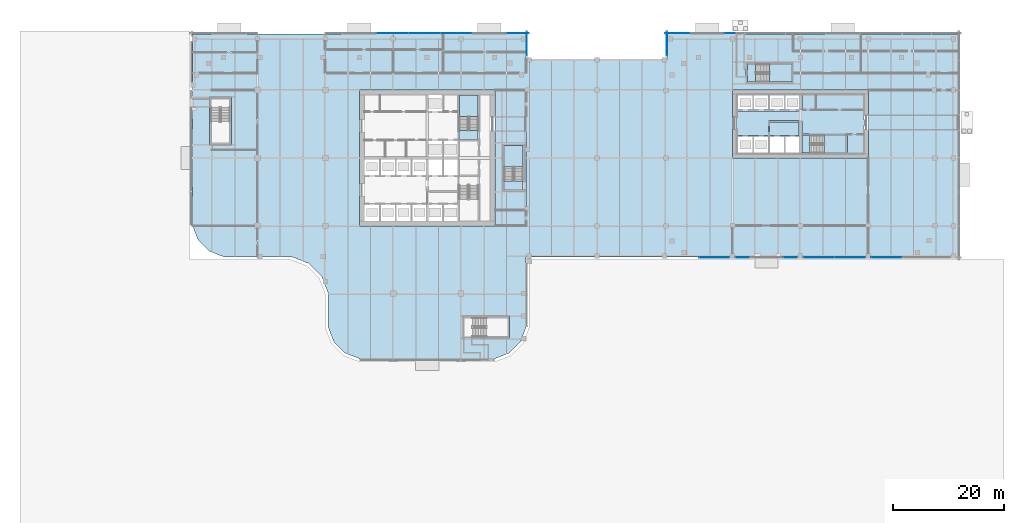
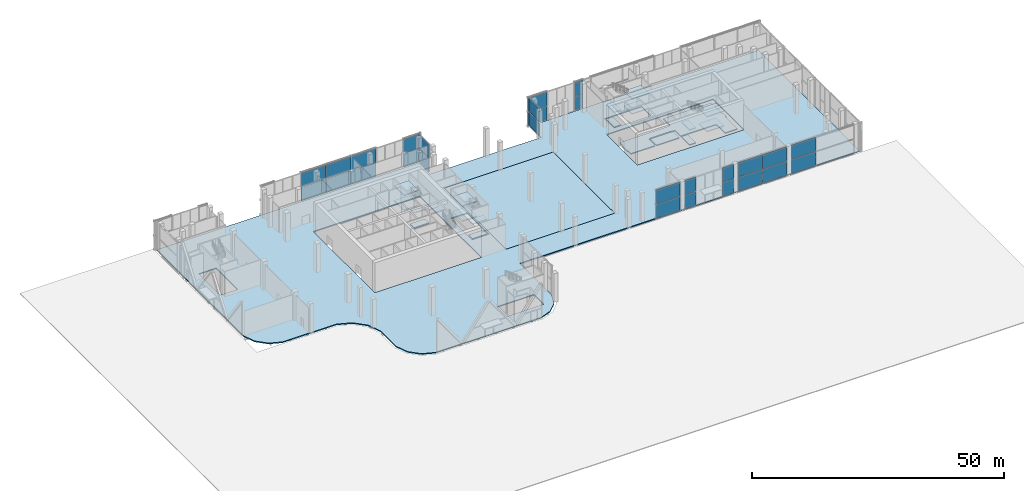
# One storey, part 15 of 36: 28 plates, 20 slabs, 15 elements without a shape of their own.
"""IFC4 building model written with IfcOpenShell, lengths in metres."""

from ifc_helpers import new_model, si_unit, direction, frame, origin, origin_2d, place, context, subcontext, project, spatial, polyline, rectangle, outline, extrude, material, layer, layer_set, type_object, element, aggregate, save


model = new_model("IFC4")

# Units and contexts
model_context = context("Model", 3, precision=1e-05, world=origin(), true_north=direction((0.0, 1.0)))
body_context = subcontext(model_context, "Body", "Model", "MODEL_VIEW")
ifc_project = project(units=[si_unit("LENGTHUNIT", "METRE"), si_unit("AREAUNIT", "SQUARE_METRE"), si_unit("VOLUMEUNIT", "CUBIC_METRE"), si_unit("PLANEANGLEUNIT", "RADIAN"), si_unit("MASSUNIT", "GRAM", prefix="KILO")], contexts=[model_context])

# Site, building, storey
site_placement = place(None, origin())
site = spatial("IfcSite", under=ifc_project, at=site_placement, CompositionType="ELEMENT")
building_placement = place(site_placement, origin())
building = spatial("IfcBuilding", under=site, at=building_placement, Name="Tessera Gate Towers", CompositionType="ELEMENT")
storey_placement = place(building_placement, origin())
storey = spatial("IfcBuildingStorey", under=building, at=storey_placement, Name="L00", CompositionType="ELEMENT", Elevation=0.0)

# Slabs
ifc_material_1 = material(Name="Concrete C35/45", Category="concrete")
ifc_layer_1 = layer(ifc_material_1, 0.25)
ifc_layer_set_1 = layer_set([ifc_layer_1], Name="COMPOSITE FLOOR 250")
slab_type_1 = type_object("IfcSlabType", Name="COMPOSITE FLOOR 250", PredefinedType="FLOOR", material=ifc_layer_set_1)
slab_1_placement = place(storey_placement, frame((0.0, 0.0, -0.25)))
element("IfcSlab", 1, at=slab_1_placement, inside=storey, type_object=slab_type_1, Name="L00-GALLERIA-ARCADE-DECK", PredefinedType="FLOOR", context=body_context, shape_type="SweptSolid", body=[
    extrude(outline(polyline([(60.5, 24.39990234375), (85.39990234375, 24.39990234375), (85.39990234375, 48.800048828125), (60.5, 48.800048828125), (60.5, 24.39990234375)])), origin(), (0.0, 0.0, 1.0), 0.25),
])
slab_2_placement = place(storey_placement, frame((0.0, 0.0, -0.25)))
element("IfcSlab", 2, at=slab_2_placement, inside=storey, type_object=slab_type_1, Name="PD-L00", PredefinedType="FLOOR", context=body_context, shape_type="SweptSolid", body=[
    extrude(outline(polyline([(0.5, 24.4931640625), (1.526123046875, 21.8330078125), (3.533203125, 19.826171875), (6.193115234375, 18.800048828125), (18.39306640625, 18.800048828125), (21.42431640625, 17.630615234375), (23.730712890625, 15.32421875), (24.89990234375, 12.293212890625), (24.89990234375, 6.193115234375), (25.926025390625, 3.533203125), (27.93310546875, 1.526123046875), (30.593017578125, 0.5), (54.806884765625, 0.5), (57.466796875, 1.526123046875), (59.473876953125, 3.533203125), (60.5, 6.193115234375), (60.5, 18.800048828125), (138.199951171875, 18.800048828125), (138.199951171875, 58.89990234375), (85.89990234375, 58.89990234375), (85.89990234375, 54.39990234375), (60.5, 54.39990234375), (60.5, 58.89990234375), (0.5, 58.89990234375), (0.5, 24.4931640625)]), holes=[polyline([(3.60009765625, 39.0), (3.60009765625, 47.5), (7.5, 47.5), (7.5, 39.0), (3.60009765625, 39.0)]), polyline([(30.5, 24.39990234375), (30.5, 48.800048828125), (54.89990234375, 48.800048828125), (54.89990234375, 24.39990234375), (30.5, 24.39990234375)]), polyline([(49.0, 4.199951171875), (49.0, 8.10009765625), (57.5, 8.10009765625), (57.5, 4.199951171875), (49.0, 4.199951171875)]), polyline([(56.300048828125, 30.60009765625), (56.300048828125, 39.10009765625), (60.199951171875, 39.10009765625), (60.199951171875, 30.60009765625), (56.300048828125, 30.60009765625)]), polyline([(60.5, 24.39990234375), (60.5, 48.800048828125), (85.39990234375, 48.800048828125), (85.39990234375, 24.39990234375), (60.5, 24.39990234375)]), polyline([(97.60009765625, 36.60009765625), (97.60009765625, 48.800048828125), (122.0, 48.800048828125), (122.0, 36.60009765625), (97.60009765625, 36.60009765625)]), polyline([(100.0, 50.0), (100.0, 53.699951171875), (108.5, 53.699951171875), (108.5, 50.0), (100.0, 50.0)])]), origin(), (0.0, 0.0, 1.0), 0.25),
])
ifc_material_2 = material(Name="Concrete C35/45", Category="concrete")
ifc_layer_2 = layer(ifc_material_2, 0.25)
ifc_layer_set_2 = layer_set([ifc_layer_2], Name="CORE FLOOR SLAB 250")
slab_type_2 = type_object("IfcSlabType", Name="CORE FLOOR SLAB 250", PredefinedType="FLOOR", material=ifc_layer_set_2)
slab_3_placement = place(storey_placement, frame((0.0, 0.0, -0.25)))
element("IfcSlab", 3, at=slab_3_placement, inside=storey, type_object=slab_type_2, Name="L00 core floor slab", PredefinedType="FLOOR", context=body_context, shape_type="SweptSolid", body=[
    extrude(outline(polyline([(48.47509765625, 41.52490234375), (48.47509765625, 39.925048828125), (51.875, 39.925048828125), (51.875, 41.52490234375), (48.47509765625, 41.52490234375)])), origin(), (0.0, 0.0, 1.0), 0.25),
])
slab_4_placement = place(storey_placement, frame((0.0, 0.0, -0.25)))
element("IfcSlab", 4, at=slab_4_placement, inside=storey, type_object=slab_type_2, Name="L00 ST5 floor landing", PredefinedType="FLOOR", context=body_context, shape_type="SweptSolid", body=[
    extrude(outline(polyline([(59.949951171875, 30.85009765625), (59.949951171875, 32.449951171875), (56.550048828125, 32.449951171875), (56.550048828125, 30.85009765625), (59.949951171875, 30.85009765625)])), origin(), (0.0, 0.0, 1.0), 0.25),
])
slab_5_placement = place(storey_placement, frame((0.0, 0.0, -0.25)))
element("IfcSlab", 5, at=slab_5_placement, inside=storey, type_object=slab_type_2, Name="L00 core floor slab", PredefinedType="FLOOR", context=body_context, shape_type="SweptSolid", body=[
    extrude(outline(polyline([(109.550048828125, 45.199951171875), (109.550048828125, 45.074951171875), (98.5, 45.074951171875), (98.5, 43.89990234375), (98.300048828125, 43.89990234375), (98.300048828125, 41.800048828125), (98.5, 41.800048828125), (98.5, 40.625), (104.02490234375, 40.625), (104.02490234375, 43.199951171875), (104.27490234375, 43.199951171875), (104.27490234375, 43.324951171875), (109.550048828125, 43.324951171875), (109.550048828125, 43.199951171875), (110.050048828125, 43.199951171875), (110.050048828125, 40.949951171875), (118.10009765625, 40.949951171875), (118.10009765625, 40.699951171875), (118.22509765625, 40.699951171875), (118.22509765625, 37.5), (121.10009765625, 37.5), (121.10009765625, 42.35009765625), (121.300048828125, 42.35009765625), (121.300048828125, 43.550048828125), (121.10009765625, 43.550048828125), (121.10009765625, 47.89990234375), (110.050048828125, 47.89990234375), (110.050048828125, 45.199951171875), (109.550048828125, 45.199951171875)])), origin(), (0.0, 0.0, 1.0), 0.25),
])
slab_6_placement = place(storey_placement, frame((0.0, 0.0, -0.25)))
element("IfcSlab", 6, at=slab_6_placement, inside=storey, type_object=slab_type_2, Name="L00 core floor slab", PredefinedType="FLOOR", context=body_context, shape_type="SweptSolid", body=[
    extrude(outline(polyline([(109.550048828125, 43.074951171875), (104.27490234375, 43.074951171875), (104.27490234375, 40.625), (109.550048828125, 40.625), (109.550048828125, 43.074951171875)])), origin(), (0.0, 0.0, 1.0), 0.25),
])
slab_7_placement = place(storey_placement, frame((0.0, 0.0, -0.25)))
element("IfcSlab", 7, at=slab_7_placement, inside=storey, type_object=slab_type_2, Name="L00 core floor slab", PredefinedType="FLOOR", context=body_context, shape_type="SweptSolid", body=[
    extrude(outline(polyline([(111.550048828125, 37.5), (111.550048828125, 40.699951171875), (110.050048828125, 40.699951171875), (110.050048828125, 37.5), (111.550048828125, 37.5)])), origin(), (0.0, 0.0, 1.0), 0.25),
])
slab_8_placement = place(storey_placement, frame((0.0, 0.0, -0.25)))
element("IfcSlab", 8, at=slab_8_placement, inside=storey, type_object=slab_type_2, Name="L00 ST7 floor landing", PredefinedType="FLOOR", context=body_context, shape_type="SweptSolid", body=[
    extrude(outline(polyline([(100.25, 50.25), (101.75, 50.25), (101.75, 53.449951171875), (100.25, 53.449951171875), (100.25, 50.25)])), origin(), (0.0, 0.0, 1.0), 0.25),
])

# Stair, slabs
ifc_material_3 = material(Name="Concrete C40/50", Category="concrete")
stair_type_1 = type_object("IfcStairType", Name="EXIT STAIR ST2E 1600", PredefinedType="HALF_TURN_STAIR", material=ifc_material_3)
stair_1_placement = place(storey_placement, origin())
stair_1 = element("IfcStair", 9, at=stair_1_placement, inside=storey, type_object=stair_type_1, Name="L00 Protected Exit Stair ST2", PredefinedType="HALF_TURN_STAIR")
ifc_material_4 = material(Name="Concrete C40/50", Category="concrete")
ifc_layer_3 = layer(ifc_material_4, 0.199951171875)
ifc_layer_set_3 = layer_set([ifc_layer_3], Name="EXIT STAIR LANDING 200")
slab_type_3 = type_object("IfcSlabType", Name="EXIT STAIR LANDING 200", PredefinedType="LANDING", material=ifc_layer_set_3)
slab_9_placement = place(storey_placement, frame((0.0, 0.0, 1.60009765625)))
slab_9 = element("IfcSlab", 10, at=slab_9_placement, type_object=slab_type_3, Name="ST2 landing 1", PredefinedType="LANDING", context=body_context, shape_type="SweptSolid", body=[
    extrude(outline(polyline([(51.875, 44.044921875), (51.875, 47.89990234375), (48.47509765625, 47.89990234375), (48.47509765625, 44.044921875), (51.875, 44.044921875)])), origin(), (0.0, 0.0, 1.0), 0.199951171875),
])
slab_10_placement = place(storey_placement, frame((0.0, 0.0, 3.39990234375)))
slab_10 = element("IfcSlab", 11, at=slab_10_placement, type_object=slab_type_3, Name="ST2 landing 2", PredefinedType="LANDING", context=body_context, shape_type="SweptSolid", body=[
    extrude(outline(polyline([(51.875, 39.925048828125), (51.875, 41.52490234375), (48.47509765625, 41.52490234375), (48.47509765625, 39.925048828125), (51.875, 39.925048828125)])), origin(), (0.0, 0.0, 1.0), 0.2001953125),
])
slab_11_placement = place(storey_placement, frame((0.0, 0.0, 5.199951171875)))
slab_11 = element("IfcSlab", 12, at=slab_11_placement, type_object=slab_type_3, Name="ST2 landing 3", PredefinedType="LANDING", context=body_context, shape_type="SweptSolid", body=[
    extrude(outline(polyline([(51.875, 44.044921875), (51.875, 47.89990234375), (48.47509765625, 47.89990234375), (48.47509765625, 44.044921875), (51.875, 44.044921875)])), origin(), (0.0, 0.0, 1.0), 0.199951171875),
])
aggregate(stair_1, [slab_9, slab_10, slab_11])

ifc_material_5 = material(Name="Concrete C40/50", Category="concrete")
stair_type_2 = type_object("IfcStairType", Name="EXIT STAIR ST5D 1600", PredefinedType="HALF_TURN_STAIR", material=ifc_material_5)
stair_2_placement = place(storey_placement, origin())
stair_2 = element("IfcStair", 13, at=stair_2_placement, inside=storey, type_object=stair_type_2, Name="L00 East Exit Stair ST5", PredefinedType="HALF_TURN_STAIR")
slab_12_placement = place(storey_placement, frame((0.0, 0.0, 1.60009765625)))
slab_12 = element("IfcSlab", 14, at=slab_12_placement, type_object=slab_type_3, Name="ST5 landing 1", PredefinedType="LANDING", context=body_context, shape_type="SweptSolid", body=[
    extrude(outline(polyline([(59.949951171875, 34.969970703125), (59.949951171875, 38.85009765625), (56.550048828125, 38.85009765625), (56.550048828125, 34.969970703125), (59.949951171875, 34.969970703125)])), origin(), (0.0, 0.0, 1.0), 0.199951171875),
])
slab_13_placement = place(storey_placement, frame((0.0, 0.0, 3.39990234375)))
slab_13 = element("IfcSlab", 15, at=slab_13_placement, type_object=slab_type_3, Name="ST5 landing 2", PredefinedType="LANDING", context=body_context, shape_type="SweptSolid", body=[
    extrude(outline(polyline([(59.949951171875, 30.85009765625), (59.949951171875, 32.449951171875), (56.550048828125, 32.449951171875), (56.550048828125, 30.85009765625), (59.949951171875, 30.85009765625)])), origin(), (0.0, 0.0, 1.0), 0.2001953125),
])
slab_14_placement = place(storey_placement, frame((0.0, 0.0, 5.199951171875)))
slab_14 = element("IfcSlab", 16, at=slab_14_placement, type_object=slab_type_3, Name="ST5 landing 3", PredefinedType="LANDING", context=body_context, shape_type="SweptSolid", body=[
    extrude(outline(polyline([(59.949951171875, 34.969970703125), (59.949951171875, 38.85009765625), (56.550048828125, 38.85009765625), (56.550048828125, 34.969970703125), (59.949951171875, 34.969970703125)])), origin(), (0.0, 0.0, 1.0), 0.199951171875),
])
aggregate(stair_2, [slab_12, slab_13, slab_14])

ifc_material_6 = material(Name="Concrete C40/50", Category="concrete")
stair_type_3 = type_object("IfcStairType", Name="EXIT STAIR ST6D 1500", PredefinedType="HALF_TURN_STAIR", material=ifc_material_6)
stair_3_placement = place(storey_placement, origin())
stair_3 = element("IfcStair", 17, at=stair_3_placement, inside=storey, type_object=stair_type_3, Name="L00 Protected Exit Stair ST6", PredefinedType="HALF_TURN_STAIR")
slab_15_placement = place(storey_placement, frame((0.0, 0.0, 1.60009765625)))
slab_15 = element("IfcSlab", 18, at=slab_15_placement, type_object=slab_type_3, Name="ST6 landing 1", PredefinedType="LANDING", context=body_context, shape_type="SweptSolid", body=[
    extrude(outline(polyline([(114.070068359375, 37.5), (117.97509765625, 37.5), (117.97509765625, 40.699951171875), (114.070068359375, 40.699951171875), (114.070068359375, 37.5)])), origin(), (0.0, 0.0, 1.0), 0.199951171875),
])
slab_16_placement = place(storey_placement, frame((0.0, 0.0, 3.39990234375)))
slab_16 = element("IfcSlab", 19, at=slab_16_placement, type_object=slab_type_3, Name="ST6 landing 2", PredefinedType="LANDING", context=body_context, shape_type="SweptSolid", body=[
    extrude(outline(polyline([(110.050048828125, 37.5), (111.550048828125, 37.5), (111.550048828125, 40.699951171875), (110.050048828125, 40.699951171875), (110.050048828125, 37.5)])), origin(), (0.0, 0.0, 1.0), 0.2001953125),
])
slab_17_placement = place(storey_placement, frame((0.0, 0.0, 5.199951171875)))
slab_17 = element("IfcSlab", 20, at=slab_17_placement, type_object=slab_type_3, Name="ST6 landing 3", PredefinedType="LANDING", context=body_context, shape_type="SweptSolid", body=[
    extrude(outline(polyline([(114.070068359375, 37.5), (117.97509765625, 37.5), (117.97509765625, 40.699951171875), (114.070068359375, 40.699951171875), (114.070068359375, 37.5)])), origin(), (0.0, 0.0, 1.0), 0.199951171875),
])
aggregate(stair_3, [slab_15, slab_16, slab_17])

ifc_material_7 = material(Name="Concrete C40/50", Category="concrete")
stair_type_4 = type_object("IfcStairType", Name="EXIT STAIR ST7D 1500", PredefinedType="HALF_TURN_STAIR", material=ifc_material_7)
stair_4_placement = place(storey_placement, origin())
stair_4 = element("IfcStair", 21, at=stair_4_placement, inside=storey, type_object=stair_type_4, Name="L00 North Exit Stair ST7", PredefinedType="HALF_TURN_STAIR")
slab_18_placement = place(storey_placement, frame((0.0, 0.0, 1.60009765625)))
slab_18 = element("IfcSlab", 22, at=slab_18_placement, type_object=slab_type_3, Name="ST7 landing 1", PredefinedType="LANDING", context=body_context, shape_type="SweptSolid", body=[
    extrude(outline(polyline([(104.27001953125, 50.25), (108.25, 50.25), (108.25, 53.449951171875), (104.27001953125, 53.449951171875), (104.27001953125, 50.25)])), origin(), (0.0, 0.0, 1.0), 0.199951171875),
])
slab_19_placement = place(storey_placement, frame((0.0, 0.0, 3.39990234375)))
slab_19 = element("IfcSlab", 23, at=slab_19_placement, type_object=slab_type_3, Name="ST7 landing 2", PredefinedType="LANDING", context=body_context, shape_type="SweptSolid", body=[
    extrude(outline(polyline([(100.25, 50.25), (101.75, 50.25), (101.75, 53.449951171875), (100.25, 53.449951171875), (100.25, 50.25)])), origin(), (0.0, 0.0, 1.0), 0.2001953125),
])
slab_20_placement = place(storey_placement, frame((0.0, 0.0, 5.199951171875)))
slab_20 = element("IfcSlab", 24, at=slab_20_placement, type_object=slab_type_3, Name="ST7 landing 3", PredefinedType="LANDING", context=body_context, shape_type="SweptSolid", body=[
    extrude(outline(polyline([(104.27001953125, 50.25), (108.25, 50.25), (108.25, 53.449951171875), (104.27001953125, 53.449951171875), (104.27001953125, 50.25)])), origin(), (0.0, 0.0, 1.0), 0.199951171875),
])
aggregate(stair_4, [slab_18, slab_19, slab_20])

# Curtain wall, plates
ifc_material_8 = material(Name="Aluminium frame", Category="aluminium")
curtain_wall_type = type_object("IfcCurtainWallType", Name="CW-S6 ground floor glazing", PredefinedType="NOTDEFINED", material=ifc_material_8)
curtain_wall_1_placement = place(storey_placement, origin())
curtain_wall_1 = element("IfcCurtainWall", 25, at=curtain_wall_1_placement, inside=storey, type_object=curtain_wall_type, Name="Curtain wall ground floor glazing 0156", PredefinedType="NOTDEFINED")
ifc_material_9 = material(Name="Low-e laminated glass", Category="glass")
ifc_layer_4 = layer(ifc_material_9, 0.035888671875)
ifc_layer_set_4 = layer_set([ifc_layer_4], Name="PN-S6 glass panel 36")
plate_type = type_object("IfcPlateType", Name="PN-S6 glass panel 36", PredefinedType="CURTAIN_PANEL", material=ifc_layer_set_4)
plate_1_placement = place(storey_placement, frame((94.304931640625, 18.699951171875, 0.080078125), z_axis=(0.0, 0.0, 1.0), x_axis=(1.0, 0.0, 0.0)))
plate_1 = element("IfcPlate", 26, at=plate_1_placement, type_object=plate_type, Name="PD-CW6-0156 panel 1.1", PredefinedType="CURTAIN_PANEL", context=body_context, shape_type="SweptSolid", body=[
    extrude(rectangle(XDim=5.449951171875, YDim=0.035888671875, at=origin_2d()), origin(), (0.0, 0.0, 1.0), 3.35498046875),
])
plate_2_placement = place(storey_placement, frame((94.304931640625, 18.699951171875, 3.514892578125), z_axis=(0.0, 0.0, 1.0), x_axis=(1.0, 0.0, 0.0)))
plate_2 = element("IfcPlate", 27, at=plate_2_placement, type_object=plate_type, Name="PD-CW6-0156 panel 1.2", PredefinedType="CURTAIN_PANEL", context=body_context, shape_type="SweptSolid", body=[
    extrude(rectangle(XDim=5.449951171875, YDim=0.035888671875, at=origin_2d()), origin(), (0.0, 0.0, 1.0), 3.35498046875),
])
aggregate(curtain_wall_1, [plate_1, plate_2])

curtain_wall_2_placement = place(storey_placement, origin())
curtain_wall_2 = element("IfcCurtainWall", 28, at=curtain_wall_2_placement, inside=storey, type_object=curtain_wall_type, Name="Curtain wall ground floor glazing 0157", PredefinedType="NOTDEFINED")
plate_3_placement = place(storey_placement, frame((99.3701171875, 18.699951171875, 0.080078125), z_axis=(0.0, 0.0, 1.0), x_axis=(1.0, 0.0, 0.0)))
plate_3 = element("IfcPlate", 29, at=plate_3_placement, type_object=plate_type, Name="PD-CW6-0157 panel 1.1", PredefinedType="CURTAIN_PANEL", context=body_context, shape_type="SweptSolid", body=[
    extrude(rectangle(XDim=2.39990234375, YDim=0.035888671875, at=origin_2d()), origin(), (0.0, 0.0, 1.0), 3.35498046875),
])
plate_4_placement = place(storey_placement, frame((99.3701171875, 18.699951171875, 3.514892578125), z_axis=(0.0, 0.0, 1.0), x_axis=(1.0, 0.0, 0.0)))
plate_4 = element("IfcPlate", 30, at=plate_4_placement, type_object=plate_type, Name="PD-CW6-0157 panel 1.2", PredefinedType="CURTAIN_PANEL", context=body_context, shape_type="SweptSolid", body=[
    extrude(rectangle(XDim=2.39990234375, YDim=0.035888671875, at=origin_2d()), origin(), (0.0, 0.0, 1.0), 3.35498046875),
])
aggregate(curtain_wall_2, [plate_3, plate_4])

curtain_wall_3_placement = place(storey_placement, origin())
curtain_wall_3 = element("IfcCurtainWall", 31, at=curtain_wall_3_placement, inside=storey, type_object=curtain_wall_type, Name="Curtain wall ground floor glazing 0158", PredefinedType="NOTDEFINED")
plate_5_placement = place(storey_placement, frame((108.030029296875, 18.699951171875, 0.080078125), z_axis=(0.0, 0.0, 1.0), x_axis=(1.0, 0.0, 0.0)))
plate_5 = element("IfcPlate", 32, at=plate_5_placement, type_object=plate_type, Name="PD-CW6-0158 panel 1.1", PredefinedType="CURTAIN_PANEL", context=body_context, shape_type="SweptSolid", body=[
    extrude(rectangle(XDim=2.39990234375, YDim=0.035888671875, at=origin_2d()), origin(), (0.0, 0.0, 1.0), 3.35498046875),
])
plate_6_placement = place(storey_placement, frame((108.030029296875, 18.699951171875, 3.514892578125), z_axis=(0.0, 0.0, 1.0), x_axis=(1.0, 0.0, 0.0)))
plate_6 = element("IfcPlate", 33, at=plate_6_placement, type_object=plate_type, Name="PD-CW6-0158 panel 1.2", PredefinedType="CURTAIN_PANEL", context=body_context, shape_type="SweptSolid", body=[
    extrude(rectangle(XDim=2.39990234375, YDim=0.035888671875, at=origin_2d()), origin(), (0.0, 0.0, 1.0), 3.35498046875),
])
aggregate(curtain_wall_3, [plate_5, plate_6])

curtain_wall_4_placement = place(storey_placement, origin())
curtain_wall_4 = element("IfcCurtainWall", 34, at=curtain_wall_4_placement, inside=storey, type_object=curtain_wall_type, Name="Curtain wall ground floor glazing 0159", PredefinedType="NOTDEFINED")
plate_7_placement = place(storey_placement, frame((113.114990234375, 18.699951171875, 0.080078125), z_axis=(0.0, 0.0, 1.0), x_axis=(1.0, 0.0, 0.0)))
plate_7 = element("IfcPlate", 35, at=plate_7_placement, type_object=plate_type, Name="PD-CW6-0159 panel 1.1", PredefinedType="CURTAIN_PANEL", context=body_context, shape_type="SweptSolid", body=[
    extrude(rectangle(XDim=5.489990234375, YDim=0.035888671875, at=origin_2d()), origin(), (0.0, 0.0, 1.0), 3.35498046875),
])
plate_8_placement = place(storey_placement, frame((113.114990234375, 18.699951171875, 3.514892578125), z_axis=(0.0, 0.0, 1.0), x_axis=(1.0, 0.0, 0.0)))
plate_8 = element("IfcPlate", 36, at=plate_8_placement, type_object=plate_type, Name="PD-CW6-0159 panel 1.2", PredefinedType="CURTAIN_PANEL", context=body_context, shape_type="SweptSolid", body=[
    extrude(rectangle(XDim=5.489990234375, YDim=0.035888671875, at=origin_2d()), origin(), (0.0, 0.0, 1.0), 3.35498046875),
])
plate_9_placement = place(storey_placement, frame((118.68505859375, 18.699951171875, 0.080078125), z_axis=(0.0, 0.0, 1.0), x_axis=(1.0, 0.0, 0.0)))
plate_9 = element("IfcPlate", 37, at=plate_9_placement, type_object=plate_type, Name="PD-CW6-0159 panel 2.1", PredefinedType="CURTAIN_PANEL", context=body_context, shape_type="SweptSolid", body=[
    extrude(rectangle(XDim=5.489990234375, YDim=0.035888671875, at=origin_2d()), origin(), (0.0, 0.0, 1.0), 3.35498046875),
])
plate_10_placement = place(storey_placement, frame((118.68505859375, 18.699951171875, 3.514892578125), z_axis=(0.0, 0.0, 1.0), x_axis=(1.0, 0.0, 0.0)))
plate_10 = element("IfcPlate", 38, at=plate_10_placement, type_object=plate_type, Name="PD-CW6-0159 panel 2.2", PredefinedType="CURTAIN_PANEL", context=body_context, shape_type="SweptSolid", body=[
    extrude(rectangle(XDim=5.489990234375, YDim=0.035888671875, at=origin_2d()), origin(), (0.0, 0.0, 1.0), 3.35498046875),
])
aggregate(curtain_wall_4, [plate_7, plate_8, plate_9, plate_10])

curtain_wall_5_placement = place(storey_placement, origin())
curtain_wall_5 = element("IfcCurtainWall", 39, at=curtain_wall_5_placement, inside=storey, type_object=curtain_wall_type, Name="Curtain wall ground floor glazing 0160", PredefinedType="NOTDEFINED")
plate_11_placement = place(storey_placement, frame((125.294921875, 18.699951171875, 0.080078125), z_axis=(0.0, 0.0, 1.0), x_axis=(1.0, 0.0, 0.0)))
plate_11 = element("IfcPlate", 40, at=plate_11_placement, type_object=plate_type, Name="PD-CW6-0160 panel 1.1", PredefinedType="CURTAIN_PANEL", context=body_context, shape_type="SweptSolid", body=[
    extrude(rectangle(XDim=5.449951171875, YDim=0.035888671875, at=origin_2d()), origin(), (0.0, 0.0, 1.0), 3.35498046875),
])
plate_12_placement = place(storey_placement, frame((125.294921875, 18.699951171875, 3.514892578125), z_axis=(0.0, 0.0, 1.0), x_axis=(1.0, 0.0, 0.0)))
plate_12 = element("IfcPlate", 41, at=plate_12_placement, type_object=plate_type, Name="PD-CW6-0160 panel 1.2", PredefinedType="CURTAIN_PANEL", context=body_context, shape_type="SweptSolid", body=[
    extrude(rectangle(XDim=5.449951171875, YDim=0.035888671875, at=origin_2d()), origin(), (0.0, 0.0, 1.0), 3.35498046875),
])
aggregate(curtain_wall_5, [plate_11, plate_12])

curtain_wall_6_placement = place(storey_placement, origin())
curtain_wall_6 = element("IfcCurtainWall", 42, at=curtain_wall_6_placement, inside=storey, type_object=curtain_wall_type, Name="Curtain wall ground floor glazing 0190", PredefinedType="NOTDEFINED")
plate_13_placement = place(storey_placement, frame((97.137451171875, 59.0, 0.080078125), z_axis=(0.0, 0.0, 1.0), x_axis=(-1.0, 0.0, 0.0)))
plate_13 = element("IfcPlate", 43, at=plate_13_placement, type_object=plate_type, Name="PD-CW6-0190 panel 1.1", PredefinedType="CURTAIN_PANEL", context=body_context, shape_type="SweptSolid", body=[
    extrude(rectangle(XDim=1.965087890625, YDim=0.035888671875, at=origin_2d()), origin(), (0.0, 0.0, 1.0), 3.35498046875),
])
plate_14_placement = place(storey_placement, frame((97.137451171875, 59.0, 3.514892578125), z_axis=(0.0, 0.0, 1.0), x_axis=(-1.0, 0.0, 0.0)))
plate_14 = element("IfcPlate", 44, at=plate_14_placement, type_object=plate_type, Name="PD-CW6-0190 panel 1.2", PredefinedType="CURTAIN_PANEL", context=body_context, shape_type="SweptSolid", body=[
    extrude(rectangle(XDim=1.965087890625, YDim=0.035888671875, at=origin_2d()), origin(), (0.0, 0.0, 1.0), 3.35498046875),
])
aggregate(curtain_wall_6, [plate_13, plate_14])

curtain_wall_7_placement = place(storey_placement, origin())
curtain_wall_7 = element("IfcCurtainWall", 45, at=curtain_wall_7_placement, inside=storey, type_object=curtain_wall_type, Name="Curtain wall ground floor glazing 0191", PredefinedType="NOTDEFINED")
plate_15_placement = place(storey_placement, frame((87.6875, 59.0, 0.080078125), z_axis=(0.0, 0.0, 1.0), x_axis=(-1.0, 0.0, 0.0)))
plate_15 = element("IfcPlate", 46, at=plate_15_placement, type_object=plate_type, Name="PD-CW6-0191 panel 1.1", PredefinedType="CURTAIN_PANEL", context=body_context, shape_type="SweptSolid", body=[
    extrude(rectangle(XDim=4.4150390625, YDim=0.035888671875, at=origin_2d()), origin(), (0.0, 0.0, 1.0), 3.35498046875),
])
plate_16_placement = place(storey_placement, frame((87.6875, 59.0, 3.514892578125), z_axis=(0.0, 0.0, 1.0), x_axis=(-1.0, 0.0, 0.0)))
plate_16 = element("IfcPlate", 47, at=plate_16_placement, type_object=plate_type, Name="PD-CW6-0191 panel 1.2", PredefinedType="CURTAIN_PANEL", context=body_context, shape_type="SweptSolid", body=[
    extrude(rectangle(XDim=4.4150390625, YDim=0.035888671875, at=origin_2d()), origin(), (0.0, 0.0, 1.0), 3.35498046875),
])
aggregate(curtain_wall_7, [plate_15, plate_16])

curtain_wall_8_placement = place(storey_placement, origin())
curtain_wall_8 = element("IfcCurtainWall", 48, at=curtain_wall_8_placement, inside=storey, type_object=curtain_wall_type, Name="Curtain wall ground floor glazing 0194", PredefinedType="NOTDEFINED")
plate_17_placement = place(storey_placement, frame((85.800048828125, 57.14990234375, 0.080078125), z_axis=(0.0, 0.0, 1.0), x_axis=(0.0, -1.0, 0.0)))
plate_17 = element("IfcPlate", 49, at=plate_17_placement, type_object=plate_type, Name="PD-CW6-0194 panel 1.1", PredefinedType="CURTAIN_PANEL", context=body_context, shape_type="SweptSolid", body=[
    extrude(rectangle(XDim=4.340087890625, YDim=0.035888671875, at=origin_2d()), origin(), (0.0, 0.0, 1.0), 3.35498046875),
])
plate_18_placement = place(storey_placement, frame((85.800048828125, 57.14990234375, 3.514892578125), z_axis=(0.0, 0.0, 1.0), x_axis=(0.0, -1.0, 0.0)))
plate_18 = element("IfcPlate", 50, at=plate_18_placement, type_object=plate_type, Name="PD-CW6-0194 panel 1.2", PredefinedType="CURTAIN_PANEL", context=body_context, shape_type="SweptSolid", body=[
    extrude(rectangle(XDim=4.340087890625, YDim=0.035888671875, at=origin_2d()), origin(), (0.0, 0.0, 1.0), 3.35498046875),
])
aggregate(curtain_wall_8, [plate_17, plate_18])

curtain_wall_9_placement = place(storey_placement, origin())
curtain_wall_9 = element("IfcCurtainWall", 51, at=curtain_wall_9_placement, inside=storey, type_object=curtain_wall_type, Name="Curtain wall ground floor glazing 0201", PredefinedType="NOTDEFINED")
plate_19_placement = place(storey_placement, frame((60.60009765625, 57.14990234375, 0.080078125), z_axis=(0.0, 0.0, 1.0), x_axis=(0.0, 1.0, 0.0)))
plate_19 = element("IfcPlate", 52, at=plate_19_placement, type_object=plate_type, Name="PD-CW6-0201 panel 1.1", PredefinedType="CURTAIN_PANEL", context=body_context, shape_type="SweptSolid", body=[
    extrude(rectangle(XDim=4.340087890625, YDim=0.035888671875, at=origin_2d()), origin(), (0.0, 0.0, 1.0), 3.35498046875),
])
plate_20_placement = place(storey_placement, frame((60.60009765625, 57.14990234375, 3.514892578125), z_axis=(0.0, 0.0, 1.0), x_axis=(0.0, 1.0, 0.0)))
plate_20 = element("IfcPlate", 53, at=plate_20_placement, type_object=plate_type, Name="PD-CW6-0201 panel 1.2", PredefinedType="CURTAIN_PANEL", context=body_context, shape_type="SweptSolid", body=[
    extrude(rectangle(XDim=4.340087890625, YDim=0.035888671875, at=origin_2d()), origin(), (0.0, 0.0, 1.0), 3.35498046875),
])
aggregate(curtain_wall_9, [plate_19, plate_20])

curtain_wall_10_placement = place(storey_placement, origin())
curtain_wall_10 = element("IfcCurtainWall", 54, at=curtain_wall_10_placement, inside=storey, type_object=curtain_wall_type, Name="Curtain wall ground floor glazing 0204", PredefinedType="NOTDEFINED")
plate_21_placement = place(storey_placement, frame((58.966552734375, 59.0, 0.080078125), z_axis=(0.0, 0.0, 1.0), x_axis=(-1.0, 0.0, 0.0)))
plate_21 = element("IfcPlate", 55, at=plate_21_placement, type_object=plate_type, Name="PD-CW6-0204 panel 1.1", PredefinedType="CURTAIN_PANEL", context=body_context, shape_type="SweptSolid", body=[
    extrude(rectangle(XDim=3.90673828125, YDim=0.035888671875, at=origin_2d()), origin(), (0.0, 0.0, 1.0), 3.35498046875),
])
plate_22_placement = place(storey_placement, frame((58.966552734375, 59.0, 3.514892578125), z_axis=(0.0, 0.0, 1.0), x_axis=(-1.0, 0.0, 0.0)))
plate_22 = element("IfcPlate", 56, at=plate_22_placement, type_object=plate_type, Name="PD-CW6-0204 panel 1.2", PredefinedType="CURTAIN_PANEL", context=body_context, shape_type="SweptSolid", body=[
    extrude(rectangle(XDim=3.90673828125, YDim=0.035888671875, at=origin_2d()), origin(), (0.0, 0.0, 1.0), 3.35498046875),
])
aggregate(curtain_wall_10, [plate_21, plate_22])

curtain_wall_11_placement = place(storey_placement, origin())
curtain_wall_11 = element("IfcCurtainWall", 57, at=curtain_wall_11_placement, inside=storey, type_object=curtain_wall_type, Name="Curtain wall ground floor glazing 0205", PredefinedType="NOTDEFINED")
plate_23_placement = place(storey_placement, frame((47.932861328125, 59.0, 0.080078125), z_axis=(0.0, 0.0, 1.0), x_axis=(-1.0, 0.0, 0.0)))
plate_23 = element("IfcPlate", 58, at=plate_23_placement, type_object=plate_type, Name="PD-CW6-0205 panel 1.1", PredefinedType="CURTAIN_PANEL", context=body_context, shape_type="SweptSolid", body=[
    extrude(rectangle(XDim=5.64111328125, YDim=0.035888671875, at=origin_2d()), origin(), (0.0, 0.0, 1.0), 3.35498046875),
])
plate_24_placement = place(storey_placement, frame((47.932861328125, 59.0, 3.514892578125), z_axis=(0.0, 0.0, 1.0), x_axis=(-1.0, 0.0, 0.0)))
plate_24 = element("IfcPlate", 59, at=plate_24_placement, type_object=plate_type, Name="PD-CW6-0205 panel 1.2", PredefinedType="CURTAIN_PANEL", context=body_context, shape_type="SweptSolid", body=[
    extrude(rectangle(XDim=5.64111328125, YDim=0.035888671875, at=origin_2d()), origin(), (0.0, 0.0, 1.0), 3.35498046875),
])
plate_25_placement = place(storey_placement, frame((42.191650390625, 59.0, 0.080078125), z_axis=(0.0, 0.0, 1.0), x_axis=(-1.0, 0.0, 0.0)))
plate_25 = element("IfcPlate", 60, at=plate_25_placement, type_object=plate_type, Name="PD-CW6-0205 panel 2.1", PredefinedType="CURTAIN_PANEL", context=body_context, shape_type="SweptSolid", body=[
    extrude(rectangle(XDim=5.68115234375, YDim=0.035888671875, at=origin_2d()), origin(), (0.0, 0.0, 1.0), 3.35498046875),
])
plate_26_placement = place(storey_placement, frame((42.191650390625, 59.0, 3.514892578125), z_axis=(0.0, 0.0, 1.0), x_axis=(-1.0, 0.0, 0.0)))
plate_26 = element("IfcPlate", 61, at=plate_26_placement, type_object=plate_type, Name="PD-CW6-0205 panel 2.2", PredefinedType="CURTAIN_PANEL", context=body_context, shape_type="SweptSolid", body=[
    extrude(rectangle(XDim=5.68115234375, YDim=0.035888671875, at=origin_2d()), origin(), (0.0, 0.0, 1.0), 3.35498046875),
])
plate_27_placement = place(storey_placement, frame((36.450439453125, 59.0, 0.080078125), z_axis=(0.0, 0.0, 1.0), x_axis=(-1.0, 0.0, 0.0)))
plate_27 = element("IfcPlate", 62, at=plate_27_placement, type_object=plate_type, Name="PD-CW6-0205 panel 3.1", PredefinedType="CURTAIN_PANEL", context=body_context, shape_type="SweptSolid", body=[
    extrude(rectangle(XDim=5.64111328125, YDim=0.035888671875, at=origin_2d()), origin(), (0.0, 0.0, 1.0), 3.35498046875),
])
plate_28_placement = place(storey_placement, frame((36.450439453125, 59.0, 3.514892578125), z_axis=(0.0, 0.0, 1.0), x_axis=(-1.0, 0.0, 0.0)))
plate_28 = element("IfcPlate", 63, at=plate_28_placement, type_object=plate_type, Name="PD-CW6-0205 panel 3.2", PredefinedType="CURTAIN_PANEL", context=body_context, shape_type="SweptSolid", body=[
    extrude(rectangle(XDim=5.64111328125, YDim=0.035888671875, at=origin_2d()), origin(), (0.0, 0.0, 1.0), 3.35498046875),
])
aggregate(curtain_wall_11, [plate_23, plate_24, plate_25, plate_26, plate_27, plate_28])

save(model, "model.ifc")
